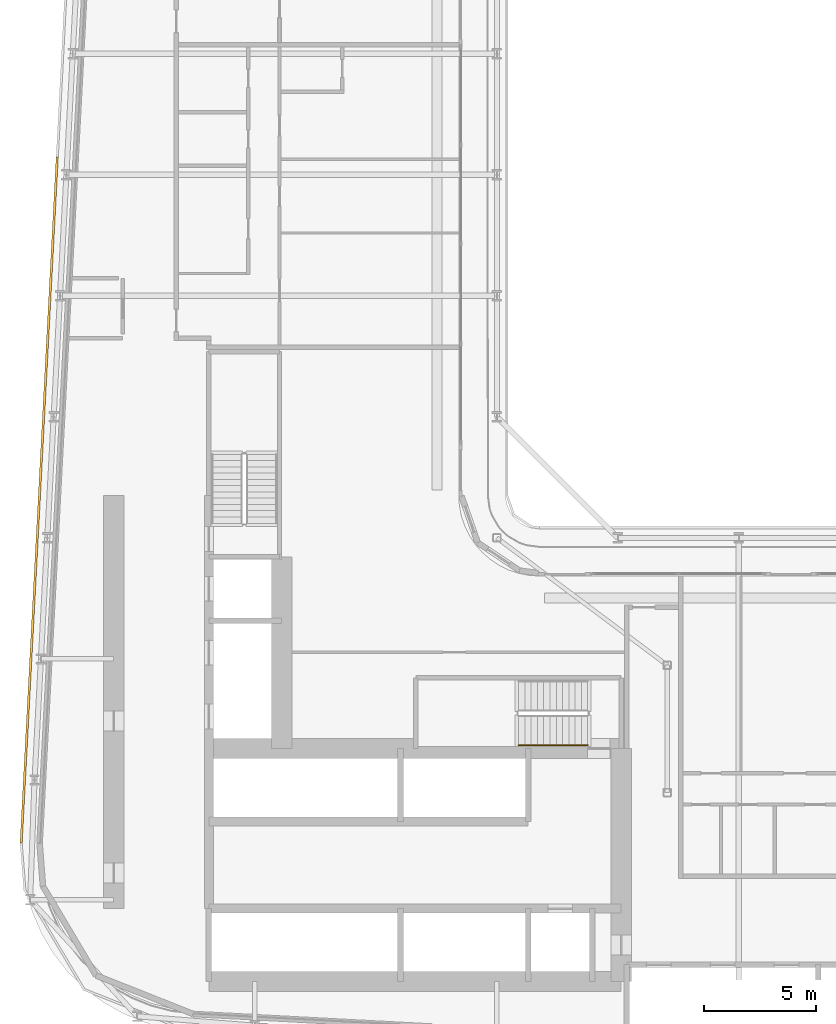
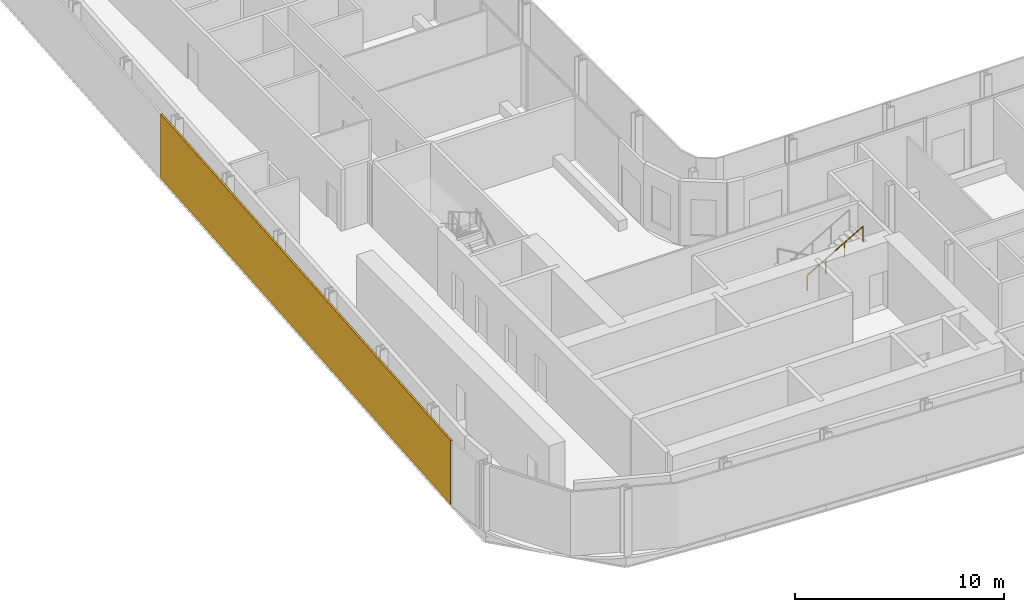
# One storey, part 20 of 26: 1 railing, 1 shading device.
"""IFC4 building model written with IfcOpenShell, lengths in metres."""

from ifc_helpers import new_model, si_unit, direction, frame, origin, origin_2d, place, context, subcontext, project, spatial, rectangle, circle, extrude, material, layer, layer_set, type_object, element, save


model = new_model("IFC4")

# Units and contexts
model_context = context("Model", 3, precision=1e-05, world=origin(), true_north=direction((0.0, 1.0)))
body_context = subcontext(model_context, "Body", "Model", "MODEL_VIEW")
ifc_project = project(units=[si_unit("LENGTHUNIT", "METRE"), si_unit("AREAUNIT", "SQUARE_METRE"), si_unit("VOLUMEUNIT", "CUBIC_METRE"), si_unit("PLANEANGLEUNIT", "RADIAN"), si_unit("MASSUNIT", "GRAM", prefix="KILO")], contexts=[model_context])

# Site, building, storey
site_placement = place(None, origin())
site = spatial("IfcSite", under=ifc_project, at=site_placement, CompositionType="ELEMENT")
building_placement = place(site_placement, origin())
building = spatial("IfcBuilding", under=site, at=building_placement, Name="Kheshtan School and Residences Tower", CompositionType="ELEMENT")
storey_placement = place(building_placement, frame((0.0, 0.0, 105.800048828125)))
storey = spatial("IfcBuildingStorey", under=building, at=storey_placement, Name="L24", CompositionType="ELEMENT", Elevation=105.800048828125)

# Shading device
ifc_material_1 = material(Name="Terracotta baguette, extruded ceramic", Category="masonry")
ifc_layer = layer(ifc_material_1, 0.10009765625)
ifc_layer_set = layer_set([ifc_layer], Name="Ledge screen, terracotta baguettes")
shading_device_type = type_object("IfcShadingDeviceType", Name="Ledge screen, terracotta baguettes", PredefinedType="USERDEFINED", material=ifc_layer_set)
shading_device_placement = place(storey_placement, frame((27.175048828125, 47.2890625, 0.0), z_axis=(0.0, 0.0, 1.0), x_axis=(0.052562536748, 0.998617634398, 0.0)))
element("IfcShadingDevice", 1, at=shading_device_placement, inside=storey, type_object=shading_device_type, Name="Screen L24 4", ObjectType="BAGUETTE", PredefinedType="USERDEFINED", context=body_context, shape_type="SweptSolid", body=[
    extrude(rectangle(XDim=30.636962890625, YDim=0.10009765625, at=origin_2d()), origin(), (0.0, 0.0, 1.0), 3.75),
])

# Railing
ifc_material_2 = material(Name="Stainless steel handrail", Category="steel")
railing_type = type_object("IfcRailingType", Name="Stair handrail 900", PredefinedType="HANDRAIL", material=ifc_material_2)
railing_placement = place(storey_placement, frame((48.570068359375, 36.35009765625, 2.112548828125)))
element("IfcRailing", 2, at=railing_placement, inside=storey, type_object=railing_type, Name="L24 ST1 stair handrail 2", PredefinedType="HANDRAIL", context=body_context, shape_type="SweptSolid", body=[
    extrude(circle(Radius=0.02392578125, at=origin_2d()), frame((0.0, 0.0, 0.8759765625), z_axis=(0.864903211148, 0.0, 0.501938676878), x_axis=(0.0, 1.0, 0.0)), (0.0, 0.0, 1.0), 3.560791015625),
    extrude(circle(Radius=0.02099609375, at=origin_2d()), origin(), (0.0, 0.0, 1.0), 0.851806640625),
    extrude(circle(Radius=0.02099609375, at=origin_2d()), frame((1.026611328125, 0.0, 0.595703125)), (0.0, 0.0, 1.0), 0.851806640625),
    extrude(circle(Radius=0.02099609375, at=origin_2d()), frame((2.05322265625, 0.0, 1.191650390625)), (0.0, 0.0, 1.0), 0.851806640625),
    extrude(circle(Radius=0.02099609375, at=origin_2d()), frame((3.079833984375, 0.0, 1.787353515625)), (0.0, 0.0, 1.0), 0.851806640625),
])

save(model, "model.ifc")
